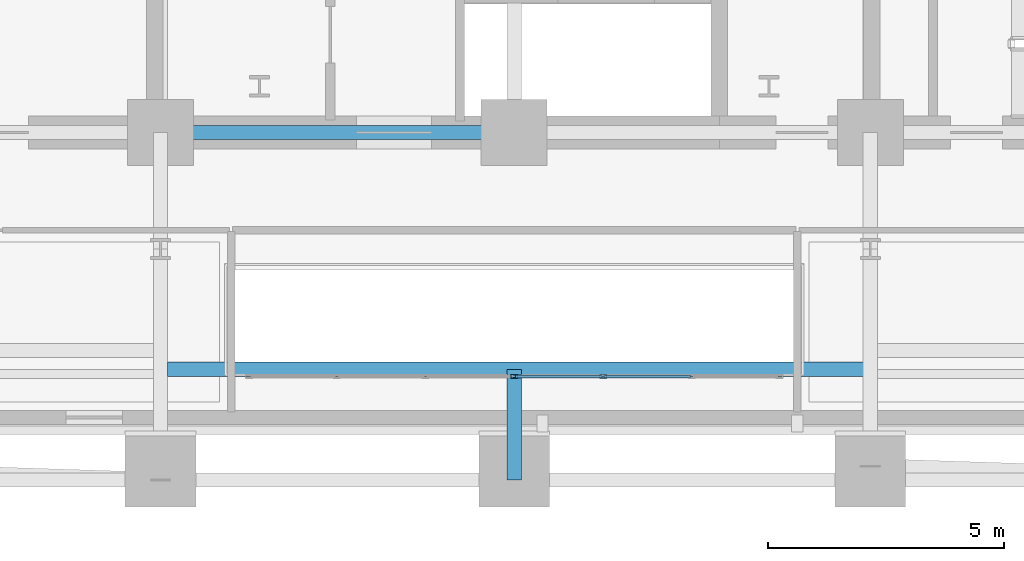
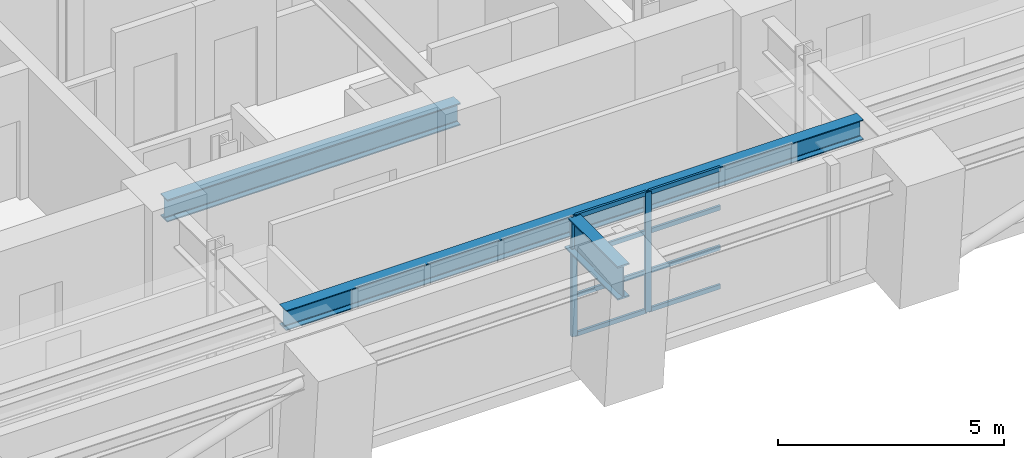
# One storey, part 3 of 14: 10 members, 3 beams, 1 element without a shape of its own.
"""IFC4 building model written with IfcOpenShell, lengths in metres."""

from ifc_helpers import new_model, si_unit, direction, frame, origin, origin_2d, place, context, subcontext, project, spatial, hollow_rectangle, i_section, extrude, material, layer, layer_set, material_profile, profile_set, type_object, element, aggregate, save


model = new_model("IFC4")

# Units and contexts
model_context = context("Model", 3, precision=1e-05, world=origin(), true_north=direction((0.0, 1.0)))
body_context = subcontext(model_context, "Body", "Model", "MODEL_VIEW")
ifc_project = project(units=[si_unit("LENGTHUNIT", "METRE"), si_unit("AREAUNIT", "SQUARE_METRE"), si_unit("VOLUMEUNIT", "CUBIC_METRE"), si_unit("PLANEANGLEUNIT", "RADIAN"), si_unit("MASSUNIT", "GRAM", prefix="KILO")], contexts=[model_context])

# Site, building, storey
site_placement = place(None, origin())
site = spatial("IfcSite", under=ifc_project, at=site_placement, CompositionType="ELEMENT")
building_placement = place(site_placement, origin())
building = spatial("IfcBuilding", under=site, at=building_placement, Name="Zarnavel Station Tower", CompositionType="ELEMENT")
storey_placement = place(building_placement, frame((0.0, 0.0, 60.5)))
storey = spatial("IfcBuildingStorey", under=building, at=storey_placement, Name="L16", CompositionType="ELEMENT", Elevation=60.5)

# Curtain wall, members
ifc_material_1 = material(Name="Aluminium Dark Anodised and Solar-Control Glass", Category="aluminium")
ifc_layer = layer(ifc_material_1, 0.179931640625)
ifc_layer_set = layer_set([ifc_layer], Name="CWS2")
curtain_wall_type = type_object("IfcCurtainWallType", Name="CWS2", PredefinedType="NOTDEFINED", material=ifc_layer_set)
curtain_wall_placement = place(storey_placement, origin())
curtain_wall = element("IfcCurtainWall", 1, at=curtain_wall_placement, inside=storey, type_object=curtain_wall_type, Name="L16 Curtain Wall CWS2-L16-AS", PredefinedType="NOTDEFINED")
ifc_material_2 = material(Name="Steel S355J2 (Black Fluoropolymer Coated)", Category="steel")
ifc_material_profile_1 = material_profile(ifc_material_2, hollow_rectangle(XDim=0.074951171875, YDim=0.14990234375, WallThickness=0.00634765625, at=origin_2d()), Name="RHS150x75x6.3")
ifc_profile_set_1 = profile_set([ifc_material_profile_1], Name="Steel S355J2 (Black Fluoropolymer Coated)")
member_type_1 = type_object("IfcMemberType", Name="CWS2_MUL", PredefinedType="MULLION", material=ifc_profile_set_1)
member_1_placement = place(storey_placement, frame((28.800048828125, 22.64990234375, 0.0), z_axis=(0.0, 0.0, 1.0), x_axis=(0.0, 1.0, 0.0)))
member_1 = element("IfcMember", 2, at=member_1_placement, type_object=member_type_1, Name="CW2 mullion 4", PredefinedType="MULLION", context=body_context, shape_type="SweptSolid", body=[
    extrude(hollow_rectangle(XDim=0.074951171875, YDim=0.14990234375, WallThickness=0.00634765625, at=origin_2d()), origin(), (0.0, 0.0, 1.0), 3.239990234375),
])
member_2_placement = place(storey_placement, frame((30.683349609375, 22.64990234375, 0.0), z_axis=(0.0, 0.0, 1.0), x_axis=(0.0, 1.0, 0.0)))
member_2 = element("IfcMember", 3, at=member_2_placement, type_object=member_type_1, Name="CW2 mullion 5", PredefinedType="MULLION", context=body_context, shape_type="SweptSolid", body=[
    extrude(hollow_rectangle(XDim=0.074951171875, YDim=0.14990234375, WallThickness=0.00634765625, at=origin_2d()), origin(), (0.0, 0.0, 1.0), 3.239990234375),
])
ifc_material_3 = material(Name="Steel S355J2 (Black Fluoropolymer Coated)", Category="steel")
ifc_material_profile_2 = material_profile(ifc_material_3, hollow_rectangle(XDim=0.06005859375, YDim=0.1201171875, WallThickness=0.0048828125, at=origin_2d()), Name="RHS120x60x5")
ifc_profile_set_2 = profile_set([ifc_material_profile_2], Name="Steel S355J2 (Black Fluoropolymer Coated)")
member_type_2 = type_object("IfcMemberType", Name="CWS2_TRN", PredefinedType="USERDEFINED", material=ifc_profile_set_2)
member_3_placement = place(storey_placement, frame((28.830078125, 22.64990234375, 0.030029296875), z_axis=(1.0, 0.0, 0.0), x_axis=(0.0, 1.0, 0.0)))
member_3 = element("IfcMember", 4, at=member_3_placement, type_object=member_type_2, Name="CW2 transom 4.1", ObjectType="TRANSOM", PredefinedType="USERDEFINED", context=body_context, shape_type="SweptSolid", body=[
    extrude(hollow_rectangle(XDim=0.06005859375, YDim=0.1201171875, WallThickness=0.0048828125, at=origin_2d()), origin(), (0.0, 0.0, 1.0), 1.8232421875),
])
member_4_placement = place(storey_placement, frame((28.830078125, 22.64990234375, 1.080078125), z_axis=(1.0, 0.0, 0.0), x_axis=(0.0, 1.0, 0.0)))
member_4 = element("IfcMember", 5, at=member_4_placement, type_object=member_type_2, Name="CW2 transom 4.2", ObjectType="TRANSOM", PredefinedType="USERDEFINED", context=body_context, shape_type="SweptSolid", body=[
    extrude(hollow_rectangle(XDim=0.06005859375, YDim=0.1201171875, WallThickness=0.0048828125, at=origin_2d()), origin(), (0.0, 0.0, 1.0), 1.8232421875),
])
member_5_placement = place(storey_placement, frame((28.830078125, 22.64990234375, 2.159912109375), z_axis=(1.0, 0.0, 0.0), x_axis=(0.0, 1.0, 0.0)))
member_5 = element("IfcMember", 6, at=member_5_placement, type_object=member_type_2, Name="CW2 transom 4.3", ObjectType="TRANSOM", PredefinedType="USERDEFINED", context=body_context, shape_type="SweptSolid", body=[
    extrude(hollow_rectangle(XDim=0.06005859375, YDim=0.1201171875, WallThickness=0.0048828125, at=origin_2d()), origin(), (0.0, 0.0, 1.0), 1.8232421875),
])
member_6_placement = place(storey_placement, frame((28.830078125, 22.64990234375, 3.2099609375), z_axis=(1.0, 0.0, 0.0), x_axis=(0.0, 1.0, 0.0)))
member_6 = element("IfcMember", 7, at=member_6_placement, type_object=member_type_2, Name="CW2 transom 4.4", ObjectType="TRANSOM", PredefinedType="USERDEFINED", context=body_context, shape_type="SweptSolid", body=[
    extrude(hollow_rectangle(XDim=0.06005859375, YDim=0.1201171875, WallThickness=0.0048828125, at=origin_2d()), origin(), (0.0, 0.0, 1.0), 1.8232421875),
])
member_7_placement = place(storey_placement, frame((30.71337890625, 22.64990234375, 0.030029296875), z_axis=(1.0, 0.0, 0.0), x_axis=(0.0, 1.0, 0.0)))
member_7 = element("IfcMember", 8, at=member_7_placement, type_object=member_type_2, Name="CW2 transom 5.1", ObjectType="TRANSOM", PredefinedType="USERDEFINED", context=body_context, shape_type="SweptSolid", body=[
    extrude(hollow_rectangle(XDim=0.06005859375, YDim=0.1201171875, WallThickness=0.0048828125, at=origin_2d()), origin(), (0.0, 0.0, 1.0), 1.8232421875),
])
member_8_placement = place(storey_placement, frame((30.71337890625, 22.64990234375, 1.080078125), z_axis=(1.0, 0.0, 0.0), x_axis=(0.0, 1.0, 0.0)))
member_8 = element("IfcMember", 9, at=member_8_placement, type_object=member_type_2, Name="CW2 transom 5.2", ObjectType="TRANSOM", PredefinedType="USERDEFINED", context=body_context, shape_type="SweptSolid", body=[
    extrude(hollow_rectangle(XDim=0.06005859375, YDim=0.1201171875, WallThickness=0.0048828125, at=origin_2d()), origin(), (0.0, 0.0, 1.0), 1.8232421875),
])
member_9_placement = place(storey_placement, frame((30.71337890625, 22.64990234375, 2.159912109375), z_axis=(1.0, 0.0, 0.0), x_axis=(0.0, 1.0, 0.0)))
member_9 = element("IfcMember", 10, at=member_9_placement, type_object=member_type_2, Name="CW2 transom 5.3", ObjectType="TRANSOM", PredefinedType="USERDEFINED", context=body_context, shape_type="SweptSolid", body=[
    extrude(hollow_rectangle(XDim=0.06005859375, YDim=0.1201171875, WallThickness=0.0048828125, at=origin_2d()), origin(), (0.0, 0.0, 1.0), 1.8232421875),
])
member_10_placement = place(storey_placement, frame((30.71337890625, 22.64990234375, 3.2099609375), z_axis=(1.0, 0.0, 0.0), x_axis=(0.0, 1.0, 0.0)))
member_10 = element("IfcMember", 11, at=member_10_placement, type_object=member_type_2, Name="CW2 transom 5.4", ObjectType="TRANSOM", PredefinedType="USERDEFINED", context=body_context, shape_type="SweptSolid", body=[
    extrude(hollow_rectangle(XDim=0.06005859375, YDim=0.1201171875, WallThickness=0.0048828125, at=origin_2d()), origin(), (0.0, 0.0, 1.0), 1.8232421875),
])
aggregate(curtain_wall, [member_1, member_2, member_3, member_4, member_5, member_6, member_7, member_8, member_9, member_10])

# Beams
ifc_material_4 = material(Name="Steel S355J2", Category="steel")
ifc_material_profile_3 = material_profile(ifc_material_4, i_section(OverallWidth=0.300048828125, OverallDepth=0.5400390625, WebThickness=0.012451171875, FlangeThickness=0.02392578125, FilletRadius=0.027099609375, at=origin_2d()), Name="HEA550")
ifc_profile_set_3 = profile_set([ifc_material_profile_3], Name="Steel S355J2")
beam_type_1 = type_object("IfcBeamType", Name="FB_HEA550", PredefinedType="BEAM", material=ifc_profile_set_3)
beam_1_placement = place(storey_placement, frame((21.445068359375, 22.800048828125, 2.969970703125), z_axis=(1.0, 0.0, 0.0), x_axis=(0.0, 1.0, 0.0)))
element("IfcBeam", 12, at=beam_1_placement, inside=storey, type_object=beam_type_1, Name="L16 Atrium South Edge Girder", PredefinedType="BEAM", context=body_context, shape_type="SweptSolid", body=[
    extrude(i_section(OverallWidth=0.300048828125, OverallDepth=0.5400390625, WebThickness=0.012451171875, FlangeThickness=0.02392578125, FilletRadius=0.027099609375, at=origin_2d()), origin(), (0.0, 0.0, 1.0), 14.760009765625),
])
ifc_material_5 = material(Name="Steel S355J2", Category="steel")
ifc_material_profile_4 = material_profile(ifc_material_5, i_section(OverallWidth=0.300048828125, OverallDepth=0.60009765625, WebThickness=0.015380859375, FlangeThickness=0.030029296875, FilletRadius=0.027099609375, at=origin_2d()), Name="HEB600")
ifc_profile_set_4 = profile_set([ifc_material_profile_4], Name="Steel S355J2")
beam_type_2 = type_object("IfcBeamType", Name="FG_HEB600", PredefinedType="USERDEFINED", material=ifc_profile_set_4)
beam_2_placement = place(storey_placement, frame((21.300048828125, 27.820068359375, 2.93994140625), z_axis=(1.0, 0.0, 0.0), x_axis=(0.0, 1.0, 0.0)))
element("IfcBeam", 13, at=beam_2_placement, inside=storey, type_object=beam_type_2, Name="L16 Core Front Coupling Beam 2", ObjectType="GIRDER", PredefinedType="USERDEFINED", context=body_context, shape_type="SweptSolid", body=[
    extrude(i_section(OverallWidth=0.300048828125, OverallDepth=0.60009765625, WebThickness=0.015380859375, FlangeThickness=0.030029296875, FilletRadius=0.027099609375, at=origin_2d()), origin(), (0.0, 0.0, 1.0), 7.5),
])
ifc_material_6 = material(Name="Steel S460M", Category="steel")
ifc_material_profile_5 = material_profile(ifc_material_6, i_section(OverallWidth=0.302001953125, OverallDepth=0.909912109375, WebThickness=0.02099609375, FlangeThickness=0.0400390625, FilletRadius=0.030029296875, at=origin_2d()), Name="HEM900")
ifc_profile_set_5 = profile_set([ifc_material_profile_5], Name="Steel S460M")
beam_type_3 = type_object("IfcBeamType", Name="TG_HEM900", PredefinedType="USERDEFINED", material=ifc_profile_set_5)
beam_3_placement = place(storey_placement, frame((28.800048828125, 20.451904296875, 2.784912109375), z_axis=(0.0, 1.0, 0.0), x_axis=(-1.0, 0.0, 0.0)))
element("IfcBeam", 14, at=beam_3_placement, inside=storey, type_object=beam_type_3, Name="L16 Central Atrium-South Girder", ObjectType="GIRDER", PredefinedType="USERDEFINED", context=body_context, shape_type="SweptSolid", body=[
    extrude(i_section(OverallWidth=0.302001953125, OverallDepth=0.909912109375, WebThickness=0.02099609375, FlangeThickness=0.0400390625, FilletRadius=0.030029296875, at=origin_2d()), origin(), (0.0, 0.0, 1.0), 2.34814453125),
])

save(model, "model.ifc")
